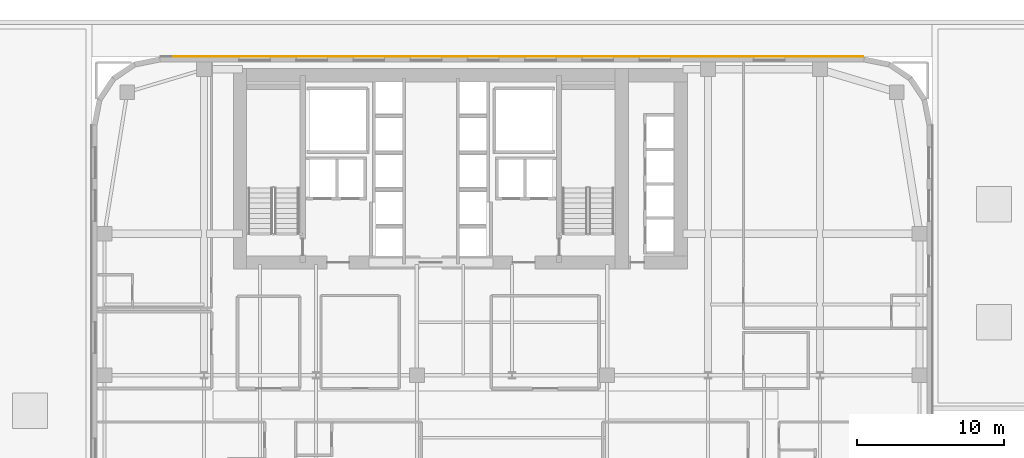
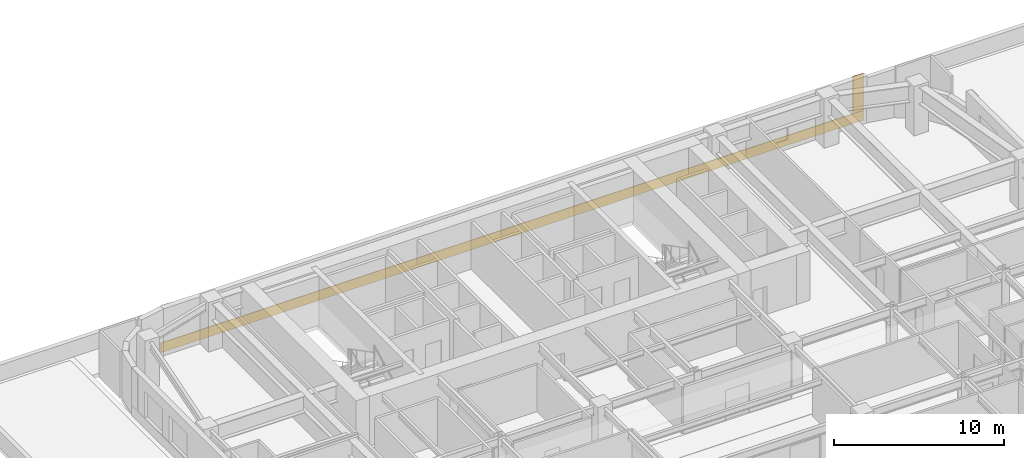
# One storey, part 24 of 25: 2 coverings.
"""IFC4 building model written with IfcOpenShell, lengths in metres."""

from ifc_helpers import new_model, si_unit, direction, frame, origin, place, context, subcontext, project, spatial, polyline, outline, extrude, material, layer, layer_set, type_object, element, save


model = new_model("IFC4")

# Units and contexts
model_context = context("Model", 3, precision=1e-05, world=origin(), true_north=direction((0.0, 1.0)))
body_context = subcontext(model_context, "Body", "Model", "MODEL_VIEW")
ifc_project = project(units=[si_unit("LENGTHUNIT", "METRE"), si_unit("AREAUNIT", "SQUARE_METRE"), si_unit("VOLUMEUNIT", "CUBIC_METRE"), si_unit("PLANEANGLEUNIT", "RADIAN"), si_unit("MASSUNIT", "GRAM", prefix="KILO")], contexts=[model_context])

# Site, building, storey
site_placement = place(None, origin())
site = spatial("IfcSite", under=ifc_project, at=site_placement, CompositionType="ELEMENT")
building_placement = place(site_placement, origin())
building = spatial("IfcBuilding", under=site, at=building_placement, Name="Tolvann Quenvar Hotel", CompositionType="ELEMENT")
storey_placement = place(building_placement, frame((0.0, 0.0, 32.0)))
storey = spatial("IfcBuildingStorey", under=building, at=storey_placement, Name="L06", CompositionType="ELEMENT", Elevation=32.0)

# Coverings
ifc_material_1 = material(Name="Kiln-fired red architectural face brick cladding", Category="masonry")
ifc_layer_1 = layer(ifc_material_1, 0.0400390625)
ifc_layer_set_1 = layer_set([ifc_layer_1], Name="Kiln-fired red architectural face brick cladding")
covering_type_1 = type_object("IfcCoveringType", Name="COV_CLAD_BRICK_40", PredefinedType="CLADDING", material=ifc_layer_set_1)
covering_1_placement = place(storey_placement, frame((0.0, 0.0, 0.699951171875)))
element("IfcCovering", 1, at=covering_1_placement, inside=storey, type_object=covering_type_1, Name="Brick Pier Cladding (L06-E18-P1)", PredefinedType="CLADDING", context=body_context, shape_type="SweptSolid", body=[
    extrude(outline(polyline([(52.332763671875, 46.0), (51.6328125, 46.0), (51.6328125, 46.0400390625), (52.332763671875, 46.0400390625), (52.332763671875, 46.0)])), origin(), (0.0, 0.0, 1.0), 2.670166015625),
])
ifc_material_2 = material(Name="Moulded buff architectural terracotta spandrel cladding", Category="masonry")
ifc_layer_2 = layer(ifc_material_2, 0.0400390625)
ifc_layer_set_2 = layer_set([ifc_layer_2], Name="Moulded buff architectural terracotta spandrel cladding")
covering_type_2 = type_object("IfcCoveringType", Name="COV_CLAD_TERRA_40", PredefinedType="CLADDING", material=ifc_layer_set_2)
covering_2_placement = place(storey_placement, origin())
element("IfcCovering", 2, at=covering_2_placement, inside=storey, type_object=covering_type_2, Name="Terracotta Spandrel Cladding (L06-E18)", PredefinedType="CLADDING", context=body_context, shape_type="SweptSolid", body=[
    extrude(outline(polyline([(52.3427734375, 46.0), (4.6572265625, 46.0), (4.6572265625, 46.0400390625), (52.3427734375, 46.0400390625), (52.3427734375, 46.0)])), origin(), (0.0, 0.0, 1.0), 0.699951171875),
])

save(model, "model.ifc")
